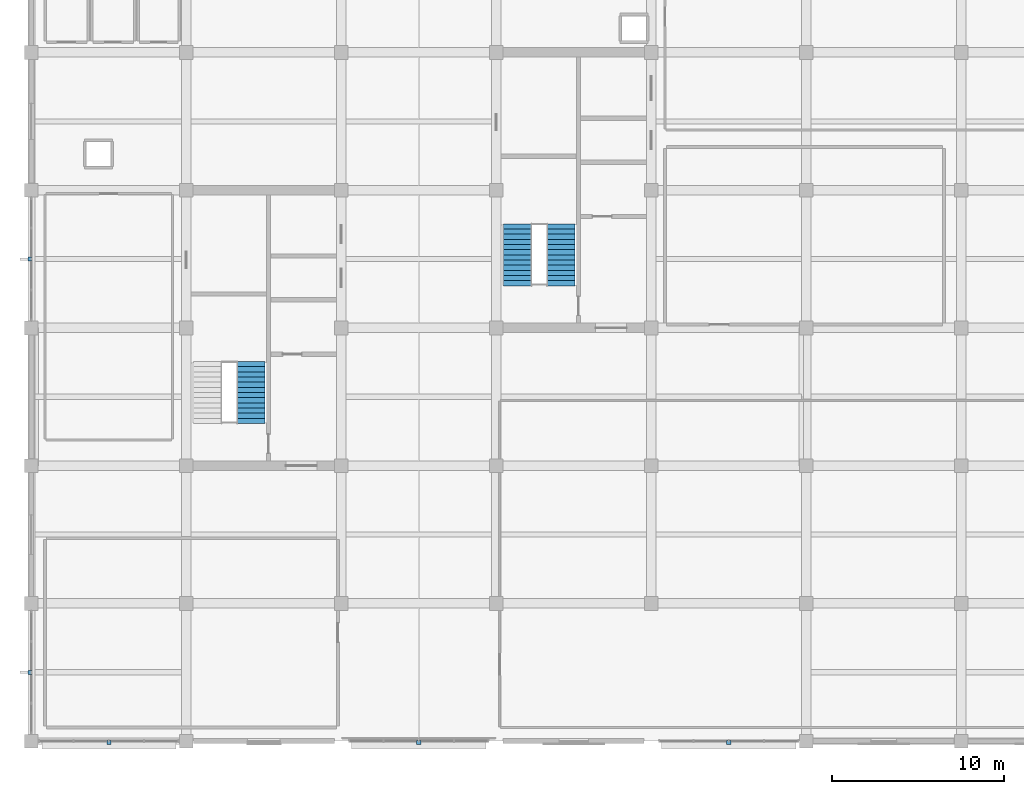
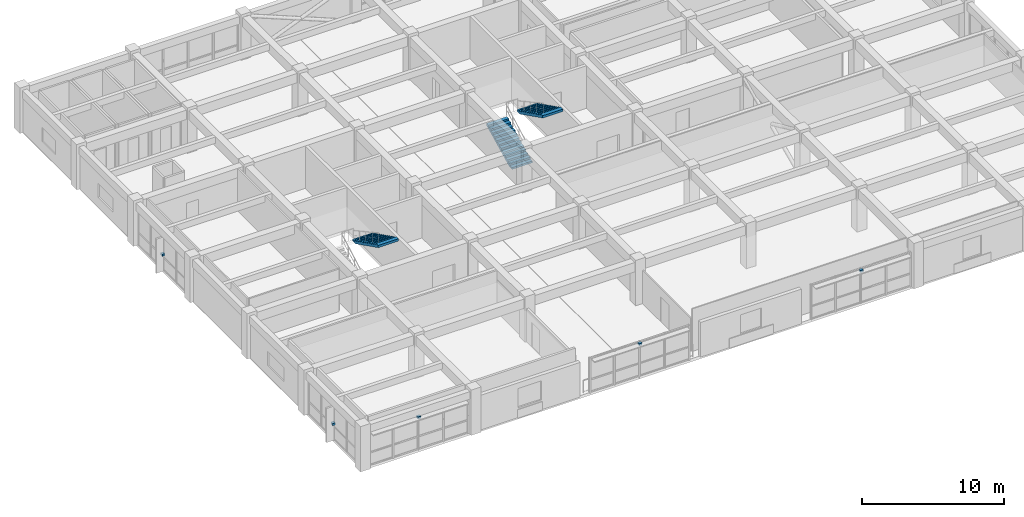
# One storey, part 15 of 16: 5 discrete accessories, 3 stair flights, 2 elements without a shape of their own.
"""IFC4 building model written with IfcOpenShell, lengths in metres."""

from ifc_helpers import new_model, si_unit, direction, frame, origin, origin_2d, place, context, subcontext, project, spatial, polyline, rectangle, outline, extrude, material, layer, layer_set, type_object, element, aggregate, save


model = new_model("IFC4")

# Units and contexts
model_context = context("Model", 3, precision=1e-05, world=origin(), true_north=direction((0.0, 1.0)))
body_context = subcontext(model_context, "Body", "Model", "MODEL_VIEW")
ifc_project = project(units=[si_unit("LENGTHUNIT", "METRE"), si_unit("AREAUNIT", "SQUARE_METRE"), si_unit("VOLUMEUNIT", "CUBIC_METRE"), si_unit("PLANEANGLEUNIT", "RADIAN"), si_unit("MASSUNIT", "GRAM", prefix="KILO")], contexts=[model_context])

# Site, building, storey
site_placement = place(None, origin())
site = spatial("IfcSite", under=ifc_project, at=site_placement, CompositionType="ELEMENT")
building_placement = place(site_placement, origin())
building = spatial("IfcBuilding", under=site, at=building_placement, Name="Zaverband Oceanarium and Marine Research Institute", CompositionType="ELEMENT")
storey_placement = place(building_placement, frame((0.0, 0.0, 37.5)))
storey = spatial("IfcBuildingStorey", under=building, at=storey_placement, Name="L09", CompositionType="ELEMENT", Elevation=37.5)

# Stair, stair flight
ifc_material_1 = material(Name="Concrete C40/50", Category="concrete")
stair_type = type_object("IfcStairType", Name="STR-TWR-1650-3900", PredefinedType="HALF_TURN_STAIR", material=ifc_material_1)
stair_1_placement = place(storey_placement, origin())
stair_1 = element("IfcStair", 1, at=stair_1_placement, inside=storey, type_object=stair_type, Name="Exit Stair ST-01 (L09)", PredefinedType="HALF_TURN_STAIR")
stair_flight_type = type_object("IfcStairFlightType", Name="STR-TWR-1650-3900-FL", PredefinedType="STRAIGHT", material=ifc_material_1)
stair_flight_1_placement = place(storey_placement, frame((21.7451171875, 86.050048828125, 1.949951171875), z_axis=(0.0, 0.0, 1.0), x_axis=(0.0, -1.0, 0.0)))
stair_flight_1 = element("IfcStairFlight", 2, at=stair_flight_1_placement, type_object=stair_flight_type, Name="Reinforced concrete stair flight ST-01-F2", NumberOfRisers=13, NumberOfTreads=12, PredefinedType="STRAIGHT", RiserHeight=0.15, TreadLength=0.3, context=body_context, shape_type="SweptSolid", body=[
    extrude(outline(polyline([(0.0, 0.0), (0.0, 0.14990234375), (0.300048828125, 0.14990234375), (0.300048828125, 0.300048828125), (0.60009765625, 0.300048828125), (0.60009765625, 0.449951171875), (0.89990234375, 0.449951171875), (0.89990234375, 0.60009765625), (1.199951171875, 0.60009765625), (1.199951171875, 0.75), (1.5, 0.75), (1.5, 0.89990234375), (1.800048828125, 0.89990234375), (1.800048828125, 1.050048828125), (2.10009765625, 1.050048828125), (2.10009765625, 1.199951171875), (2.39990234375, 1.199951171875), (2.39990234375, 1.35009765625), (2.699951171875, 1.35009765625), (2.699951171875, 1.5), (3.0, 1.5), (3.0, 1.64990234375), (3.300048828125, 1.64990234375), (3.300048828125, 1.800048828125), (3.60009765625, 1.800048828125), (3.60009765625, 1.949951171875), (3.60009765625, 1.598876953125), (0.40234375, 0.0), (0.0, 0.0)])), frame((0.0, 0.824951171875, 0.0), z_axis=(0.0, -1.0, 0.0), x_axis=(1.0, 0.0, 0.0)), (0.0, 0.0, 1.0), 1.64990234375),
])
aggregate(stair_1, [stair_flight_1])

# Stair, stair flights
stair_2_placement = place(storey_placement, origin())
stair_2 = element("IfcStair", 3, at=stair_2_placement, inside=storey, type_object=stair_type, Name="Exit Stair ST-02 (L09)", PredefinedType="HALF_TURN_STAIR")
stair_flight_2_placement = place(storey_placement, frame((37.2548828125, 90.449951171875, 0.0), z_axis=(0.0, 0.0, 1.0), x_axis=(0.0, 1.0, 0.0)))
stair_flight_2 = element("IfcStairFlight", 4, at=stair_flight_2_placement, type_object=stair_flight_type, Name="Reinforced concrete stair flight ST-02-F1", NumberOfRisers=13, NumberOfTreads=12, PredefinedType="STRAIGHT", RiserHeight=0.15, TreadLength=0.3, context=body_context, shape_type="SweptSolid", body=[
    extrude(outline(polyline([(0.0, 0.0), (0.0, 0.14990234375), (0.300048828125, 0.14990234375), (0.300048828125, 0.300048828125), (0.60009765625, 0.300048828125), (0.60009765625, 0.449951171875), (0.89990234375, 0.449951171875), (0.89990234375, 0.60009765625), (1.199951171875, 0.60009765625), (1.199951171875, 0.75), (1.5, 0.75), (1.5, 0.89990234375), (1.800048828125, 0.89990234375), (1.800048828125, 1.050048828125), (2.10009765625, 1.050048828125), (2.10009765625, 1.199951171875), (2.39990234375, 1.199951171875), (2.39990234375, 1.35009765625), (2.699951171875, 1.35009765625), (2.699951171875, 1.5), (3.0, 1.5), (3.0, 1.64990234375), (3.300048828125, 1.64990234375), (3.300048828125, 1.800048828125), (3.60009765625, 1.800048828125), (3.60009765625, 1.949951171875), (3.60009765625, 1.598876953125), (0.40234375, 0.0), (0.0, 0.0)])), frame((0.0, 0.824951171875, 0.0), z_axis=(0.0, -1.0, 0.0), x_axis=(1.0, 0.0, 0.0)), (0.0, 0.0, 1.0), 1.64990234375),
])
stair_flight_3_placement = place(storey_placement, frame((39.7451171875, 94.050048828125, 1.949951171875), z_axis=(0.0, 0.0, 1.0), x_axis=(0.0, -1.0, 0.0)))
stair_flight_3 = element("IfcStairFlight", 5, at=stair_flight_3_placement, type_object=stair_flight_type, Name="Reinforced concrete stair flight ST-02-F2", NumberOfRisers=13, NumberOfTreads=12, PredefinedType="STRAIGHT", RiserHeight=0.15, TreadLength=0.3, context=body_context, shape_type="SweptSolid", body=[
    extrude(outline(polyline([(0.0, 0.0), (0.0, 0.14990234375), (0.300048828125, 0.14990234375), (0.300048828125, 0.300048828125), (0.60009765625, 0.300048828125), (0.60009765625, 0.449951171875), (0.89990234375, 0.449951171875), (0.89990234375, 0.60009765625), (1.199951171875, 0.60009765625), (1.199951171875, 0.75), (1.5, 0.75), (1.5, 0.89990234375), (1.800048828125, 0.89990234375), (1.800048828125, 1.050048828125), (2.10009765625, 1.050048828125), (2.10009765625, 1.199951171875), (2.39990234375, 1.199951171875), (2.39990234375, 1.35009765625), (2.699951171875, 1.35009765625), (2.699951171875, 1.5), (3.0, 1.5), (3.0, 1.64990234375), (3.300048828125, 1.64990234375), (3.300048828125, 1.800048828125), (3.60009765625, 1.800048828125), (3.60009765625, 1.949951171875), (3.60009765625, 1.598876953125), (0.40234375, 0.0), (0.0, 0.0)])), frame((0.0, 0.824951171875, 0.0), z_axis=(0.0, -1.0, 0.0), x_axis=(1.0, 0.0, 0.0)), (0.0, 0.0, 1.0), 1.64990234375),
])
aggregate(stair_2, [stair_flight_2, stair_flight_3])

# Discrete accessories
ifc_material_2 = material(Name="Steel S355", Category="steel")
ifc_layer = layer(ifc_material_2, 0.179931640625, Name="Steel S355")
ifc_layer_set = layer_set([ifc_layer], Name="Steel S355")
discrete_accessory_type = type_object("IfcDiscreteAccessoryType", Name="BRK-STL-200", PredefinedType="BRACKET", material=ifc_layer_set)
for number, where, z_axis, x_axis, name in (
    (6, (13.5, 63.919921875, 2.75), (0.0, 0.0, 1.0), (1.0, 0.0, 0.0), "Galvanized steel facade fin structural bracket BRK-STL-200"),
    (7, (31.5, 63.919921875, 2.75), (0.0, 0.0, 1.0), (1.0, 0.0, 0.0), "Galvanized steel facade fin structural bracket BRK-STL-200"),
    (8, (49.5, 63.919921875, 2.75), (0.0, 0.0, 1.0), (1.0, 0.0, 0.0), "Galvanized steel facade fin structural bracket BRK-STL-200"),
    (9, (8.919921875, 68.0, 1.31982421875), (0.0, 0.0, 1.0), (1.0, 0.0, 0.0), "Galvanized steel facade fin structural bracket BRK-STL-200"),
    (10, (8.919921875, 92.0, 1.31982421875), (0.0, 0.0, 1.0), (1.0, 0.0, 0.0), "Galvanized steel facade fin structural bracket BRK-STL-200"),
):
    element("IfcDiscreteAccessory", number, at=place(storey_placement, frame(where, z_axis=z_axis, x_axis=x_axis)), inside=storey, type_object=discrete_accessory_type, Name=name, PredefinedType="BRACKET", context=body_context, shape_type="SweptSolid", body=[
        extrude(rectangle(XDim=0.239990234375, YDim=0.239990234375, at=origin_2d()), origin(), (0.0, 0.0, 1.0), 0.179931640625),
    ])

save(model, "model.ifc")
